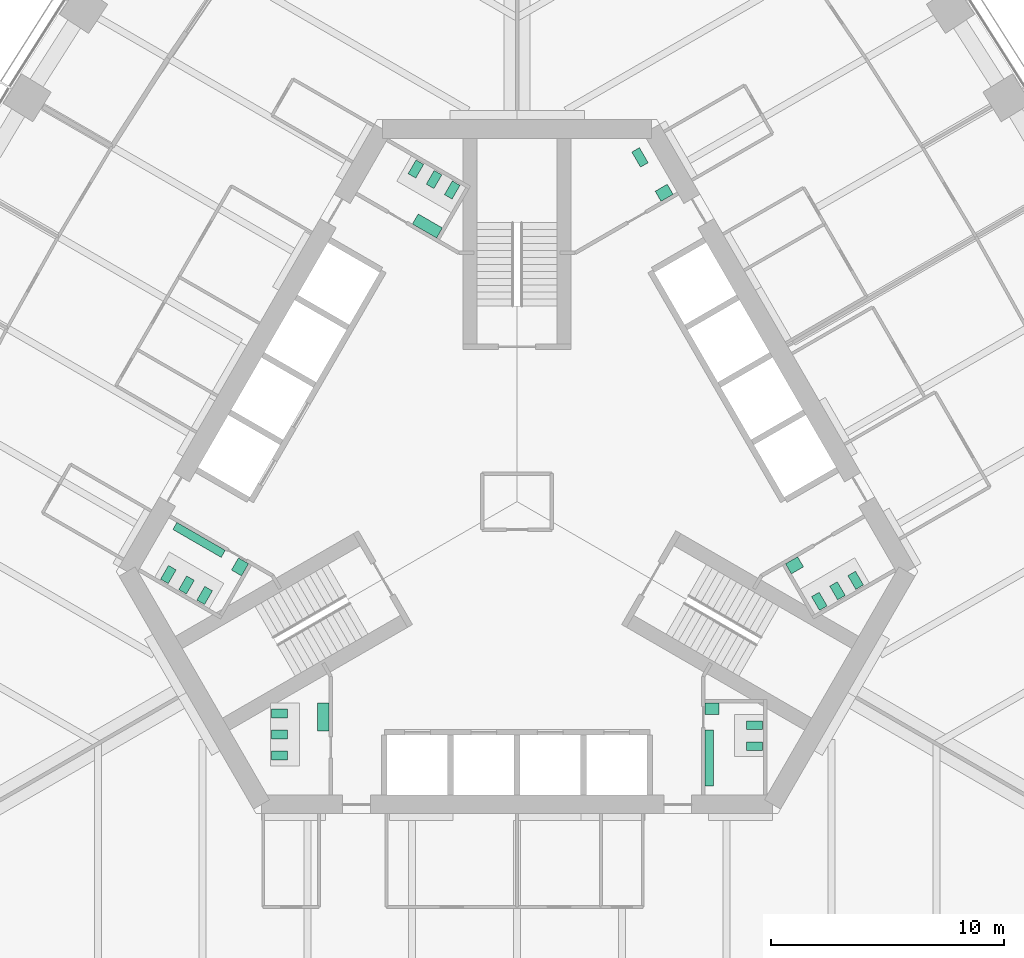
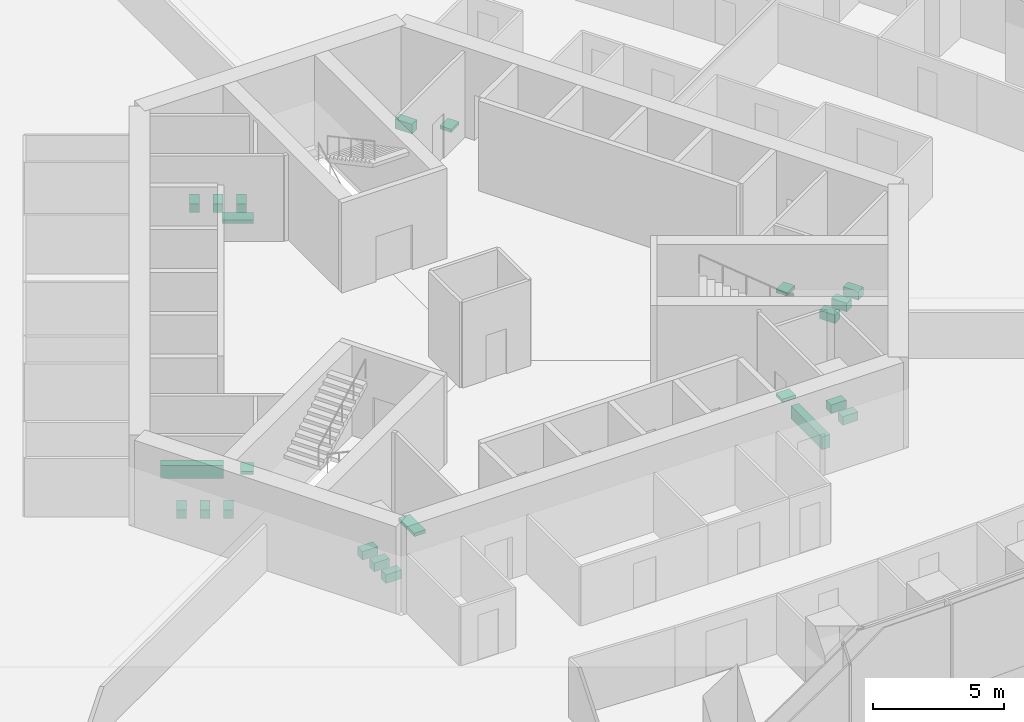
# One storey, part 18 of 19: 23 sanitary terminals.
"""IFC4 building model written with IfcOpenShell, lengths in metres."""

from ifc_helpers import new_model, si_unit, direction, frame, origin, place, context, subcontext, project, spatial, polyline, outline, extrude, material, type_object, element, save


model = new_model("IFC4")

# Units and contexts
model_context = context("Model", 3, precision=1e-05, world=origin(), true_north=direction((0.0, 1.0)))
body_context = subcontext(model_context, "Body", "Model", "MODEL_VIEW")
ifc_project = project(units=[si_unit("LENGTHUNIT", "METRE"), si_unit("AREAUNIT", "SQUARE_METRE"), si_unit("VOLUMEUNIT", "CUBIC_METRE"), si_unit("PLANEANGLEUNIT", "RADIAN"), si_unit("MASSUNIT", "GRAM", prefix="KILO")], contexts=[model_context])

# Site, building, storey
site_placement = place(None, origin())
site = spatial("IfcSite", under=ifc_project, at=site_placement, CompositionType="ELEMENT")
building_placement = place(site_placement, origin())
building = spatial("IfcBuilding", under=site, at=building_placement, Name="Trefoil Bronze Tower", CompositionType="ELEMENT")
storey_placement = place(building_placement, frame((0.0, 0.0, 20.699951171875)))
storey = spatial("IfcBuildingStorey", under=building, at=storey_placement, Name="L04", CompositionType="ELEMENT", Elevation=20.699951171875)

# Sanitary terminals
ifc_material_1 = material(Name="Vitreous china", Category="ceramic")
sanitary_terminal_type_1 = type_object("IfcSanitaryTerminalType", Name="Accessible WC pan", PredefinedType="TOILETPAN", material=ifc_material_1)
sanitary_terminal_1_placement = place(storey_placement, origin())
element("IfcSanitaryTerminal", 1, at=sanitary_terminal_1_placement, inside=storey, type_object=sanitary_terminal_type_1, Name="WC pan 1 Accessible WC L04", PredefinedType="TOILETPAN", context=body_context, shape_type="SweptSolid", body=[
    extrude(outline(polyline([(5.300537109375, 14.359130859375), (4.925537109375, 15.008544921875), (5.254638671875, 15.198486328125), (5.629638671875, 14.549072265625), (5.300537109375, 14.359130859375)])), origin(), (0.0, 0.0, 1.0), 0.449951171875),
])
ifc_material_2 = material(Name="Vitreous china", Category="ceramic")
sanitary_terminal_type_2 = type_object("IfcSanitaryTerminalType", Name="Accessible basin", PredefinedType="WASHHANDBASIN", material=ifc_material_2)
sanitary_terminal_2_placement = place(storey_placement, frame((0.0, 0.0, 0.650146484375)))
element("IfcSanitaryTerminal", 2, at=sanitary_terminal_2_placement, inside=storey, type_object=sanitary_terminal_type_2, Name="Wash basin Accessible WC L04", PredefinedType="WASHHANDBASIN", context=body_context, shape_type="SweptSolid", body=[
    extrude(outline(polyline([(6.181640625, 12.89306640625), (5.931640625, 13.326171875), (6.451171875, 13.626220703125), (6.701171875, 13.193115234375), (6.181640625, 12.89306640625)])), origin(), (0.0, 0.0, 1.0), 0.14990234375),
])
ifc_material_3 = material(Name="Vitreous china", Category="ceramic")
sanitary_terminal_type_3 = type_object("IfcSanitaryTerminalType", Name="Urinal range 4 urinals", PredefinedType="URINAL", material=ifc_material_3)
sanitary_terminal_3_placement = place(storey_placement, frame((0.0, 0.0, 0.400146484375)))
element("IfcSanitaryTerminal", 3, at=sanitary_terminal_3_placement, inside=storey, type_object=sanitary_terminal_type_3, Name="Urinal range WC (men) L04", PredefinedType="URINAL", context=body_context, shape_type="SweptSolid", body=[
    extrude(outline(polyline([(8.074951171875, -9.800048828125), (8.425048828125, -9.800048828125), (8.425048828125, -12.199951171875), (8.074951171875, -12.199951171875), (8.074951171875, -9.800048828125)])), origin(), (0.0, 0.0, 1.0), 0.599853515625),
])
sanitary_terminal_4_placement = place(storey_placement, frame((0.0, 0.0, 0.400146484375)))
element("IfcSanitaryTerminal", 4, at=sanitary_terminal_4_placement, inside=storey, type_object=sanitary_terminal_type_3, Name="Urinal range WC (men) L04", PredefinedType="URINAL", context=body_context, shape_type="SweptSolid", body=[
    extrude(outline(polyline([(-12.524658203125, -2.09326171875), (-12.699462890625, -2.396240234375), (-14.778076171875, -1.1962890625), (-14.60302734375, -0.89306640625), (-12.524658203125, -2.09326171875)])), origin(), (0.0, 0.0, 1.0), 0.599853515625),
])
ifc_material_4 = material(Name="Solid surface vanity", Category="plastic")
sanitary_terminal_type_4 = type_object("IfcSanitaryTerminalType", Name="Vanity unit 1 basins", PredefinedType="WASHHANDBASIN", material=ifc_material_4)
sanitary_terminal_5_placement = place(storey_placement, frame((0.0, 0.0, 0.75)))
element("IfcSanitaryTerminal", 5, at=sanitary_terminal_5_placement, inside=storey, type_object=sanitary_terminal_type_4, Name="Vanity unit WC (men) L04", PredefinedType="WASHHANDBASIN", context=body_context, shape_type="SweptSolid", body=[
    extrude(outline(polyline([(8.074951171875, -8.64990234375), (8.675048828125, -8.64990234375), (8.675048828125, -9.14990234375), (8.074951171875, -9.14990234375), (8.074951171875, -8.64990234375)])), origin(), (0.0, 0.0, 1.0), 0.150146484375),
])
sanitary_terminal_6_placement = place(storey_placement, frame((0.0, 0.0, 0.75)))
element("IfcSanitaryTerminal", 6, at=sanitary_terminal_6_placement, inside=storey, type_object=sanitary_terminal_type_4, Name="Vanity unit WC (women) L04", PredefinedType="WASHHANDBASIN", context=body_context, shape_type="SweptSolid", body=[
    extrude(outline(polyline([(11.528564453125, -2.668212890625), (11.778564453125, -3.10107421875), (12.29833984375, -2.80126953125), (12.04833984375, -2.3681640625), (11.528564453125, -2.668212890625)])), origin(), (0.0, 0.0, 1.0), 0.150146484375),
])
sanitary_terminal_7_placement = place(storey_placement, frame((0.0, 0.0, 0.75)))
element("IfcSanitaryTerminal", 7, at=sanitary_terminal_7_placement, inside=storey, type_object=sanitary_terminal_type_4, Name="Vanity unit WC (men) L04", PredefinedType="WASHHANDBASIN", context=body_context, shape_type="SweptSolid", body=[
    extrude(outline(polyline([(-11.528564453125, -2.668212890625), (-11.82861328125, -3.187744140625), (-12.26171875, -2.937744140625), (-11.961669921875, -2.418212890625), (-11.528564453125, -2.668212890625)])), origin(), (0.0, 0.0, 1.0), 0.150146484375),
])
ifc_material_5 = material(Name="Solid surface vanity", Category="plastic")
sanitary_terminal_type_5 = type_object("IfcSanitaryTerminalType", Name="Vanity unit 2 basins", PredefinedType="WASHHANDBASIN", material=ifc_material_5)
sanitary_terminal_8_placement = place(storey_placement, frame((0.0, 0.0, 0.75)))
element("IfcSanitaryTerminal", 8, at=sanitary_terminal_8_placement, inside=storey, type_object=sanitary_terminal_type_5, Name="Vanity unit WC (women) L04", PredefinedType="WASHHANDBASIN", context=body_context, shape_type="SweptSolid", body=[
    extrude(outline(polyline([(-3.45361328125, 11.318115234375), (-3.20361328125, 11.751220703125), (-4.242919921875, 12.35107421875), (-4.492919921875, 11.918212890625), (-3.45361328125, 11.318115234375)])), origin(), (0.0, 0.0, 1.0), 0.150146484375),
])
sanitary_terminal_9_placement = place(storey_placement, frame((0.0, 0.0, 0.75)))
element("IfcSanitaryTerminal", 9, at=sanitary_terminal_9_placement, inside=storey, type_object=sanitary_terminal_type_5, Name="Vanity unit WC (women) L04", PredefinedType="WASHHANDBASIN", context=body_context, shape_type="SweptSolid", body=[
    extrude(outline(polyline([(-8.074951171875, -8.64990234375), (-8.574951171875, -8.64990234375), (-8.574951171875, -9.85009765625), (-8.074951171875, -9.85009765625), (-8.074951171875, -8.64990234375)])), origin(), (0.0, 0.0, 1.0), 0.150146484375),
])
ifc_material_6 = material(Name="Vitreous china", Category="ceramic")
sanitary_terminal_type_6 = type_object("IfcSanitaryTerminalType", Name="WC pan", PredefinedType="TOILETPAN", material=ifc_material_6)
sanitary_terminal_10_placement = place(storey_placement, origin())
element("IfcSanitaryTerminal", 10, at=sanitary_terminal_10_placement, inside=storey, type_object=sanitary_terminal_type_6, Name="WC pan 1 WC (men) L04", PredefinedType="TOILETPAN", context=body_context, shape_type="SweptSolid", body=[
    extrude(outline(polyline([(9.85498046875, -9.409912109375), (10.534912109375, -9.409912109375), (10.534912109375, -9.7900390625), (9.85498046875, -9.7900390625), (9.85498046875, -9.409912109375)])), origin(), (0.0, 0.0, 1.0), 0.400146484375),
])
sanitary_terminal_11_placement = place(storey_placement, origin())
element("IfcSanitaryTerminal", 11, at=sanitary_terminal_11_placement, inside=storey, type_object=sanitary_terminal_type_6, Name="WC pan 2 WC (men) L04", PredefinedType="TOILETPAN", context=body_context, shape_type="SweptSolid", body=[
    extrude(outline(polyline([(9.85498046875, -10.31005859375), (10.534912109375, -10.31005859375), (10.534912109375, -10.68994140625), (9.85498046875, -10.68994140625), (9.85498046875, -10.31005859375)])), origin(), (0.0, 0.0, 1.0), 0.400146484375),
])
sanitary_terminal_12_placement = place(storey_placement, origin())
element("IfcSanitaryTerminal", 12, at=sanitary_terminal_12_placement, inside=storey, type_object=sanitary_terminal_type_6, Name="WC pan 1 WC (women) L04", PredefinedType="TOILETPAN", context=body_context, shape_type="SweptSolid", body=[
    extrude(outline(polyline([(12.643798828125, -4.07958984375), (12.98388671875, -4.66845703125), (13.31298828125, -4.478515625), (12.972900390625, -3.8896484375), (12.643798828125, -4.07958984375)])), origin(), (0.0, 0.0, 1.0), 0.400146484375),
])
sanitary_terminal_13_placement = place(storey_placement, origin())
element("IfcSanitaryTerminal", 13, at=sanitary_terminal_13_placement, inside=storey, type_object=sanitary_terminal_type_6, Name="WC pan 2 WC (women) L04", PredefinedType="TOILETPAN", context=body_context, shape_type="SweptSolid", body=[
    extrude(outline(polyline([(13.423095703125, -3.629638671875), (13.76318359375, -4.218505859375), (14.09228515625, -4.028564453125), (13.752197265625, -3.439697265625), (13.423095703125, -3.629638671875)])), origin(), (0.0, 0.0, 1.0), 0.400146484375),
])
sanitary_terminal_14_placement = place(storey_placement, origin())
element("IfcSanitaryTerminal", 14, at=sanitary_terminal_14_placement, inside=storey, type_object=sanitary_terminal_type_6, Name="WC pan 3 WC (women) L04", PredefinedType="TOILETPAN", context=body_context, shape_type="SweptSolid", body=[
    extrude(outline(polyline([(14.20263671875, -3.1796875), (14.542724609375, -3.7685546875), (14.871826171875, -3.57861328125), (14.53173828125, -2.98974609375), (14.20263671875, -3.1796875)])), origin(), (0.0, 0.0, 1.0), 0.400146484375),
])
sanitary_terminal_15_placement = place(storey_placement, origin())
element("IfcSanitaryTerminal", 15, at=sanitary_terminal_15_placement, inside=storey, type_object=sanitary_terminal_type_6, Name="WC pan 1 WC (women) L04", PredefinedType="TOILETPAN", context=body_context, shape_type="SweptSolid", body=[
    extrude(outline(polyline([(-2.788818359375, 12.98974609375), (-2.44873046875, 13.57861328125), (-2.77783203125, 13.7685546875), (-3.117919921875, 13.1796875), (-2.788818359375, 12.98974609375)])), origin(), (0.0, 0.0, 1.0), 0.400146484375),
])
sanitary_terminal_16_placement = place(storey_placement, origin())
element("IfcSanitaryTerminal", 16, at=sanitary_terminal_16_placement, inside=storey, type_object=sanitary_terminal_type_6, Name="WC pan 2 WC (women) L04", PredefinedType="TOILETPAN", context=body_context, shape_type="SweptSolid", body=[
    extrude(outline(polyline([(-3.568115234375, 13.439697265625), (-3.228271484375, 14.028564453125), (-3.557373046875, 14.218505859375), (-3.897216796875, 13.629638671875), (-3.568115234375, 13.439697265625)])), origin(), (0.0, 0.0, 1.0), 0.400146484375),
])
sanitary_terminal_17_placement = place(storey_placement, origin())
element("IfcSanitaryTerminal", 17, at=sanitary_terminal_17_placement, inside=storey, type_object=sanitary_terminal_type_6, Name="WC pan 3 WC (women) L04", PredefinedType="TOILETPAN", context=body_context, shape_type="SweptSolid", body=[
    extrude(outline(polyline([(-4.34765625, 13.8896484375), (-4.007568359375, 14.478515625), (-4.336669921875, 14.66845703125), (-4.6767578125, 14.07958984375), (-4.34765625, 13.8896484375)])), origin(), (0.0, 0.0, 1.0), 0.400146484375),
])
sanitary_terminal_18_placement = place(storey_placement, origin())
element("IfcSanitaryTerminal", 18, at=sanitary_terminal_18_placement, inside=storey, type_object=sanitary_terminal_type_6, Name="WC pan 1 WC (men) L04", PredefinedType="TOILETPAN", context=body_context, shape_type="SweptSolid", body=[
    extrude(outline(polyline([(-13.076904296875, -3.82958984375), (-13.416748046875, -4.41845703125), (-13.745849609375, -4.228515625), (-13.406005859375, -3.6396484375), (-13.076904296875, -3.82958984375)])), origin(), (0.0, 0.0, 1.0), 0.400146484375),
])
sanitary_terminal_19_placement = place(storey_placement, origin())
element("IfcSanitaryTerminal", 19, at=sanitary_terminal_19_placement, inside=storey, type_object=sanitary_terminal_type_6, Name="WC pan 2 WC (men) L04", PredefinedType="TOILETPAN", context=body_context, shape_type="SweptSolid", body=[
    extrude(outline(polyline([(-13.856201171875, -3.379638671875), (-14.1962890625, -3.968505859375), (-14.525390625, -3.778564453125), (-14.185302734375, -3.189697265625), (-13.856201171875, -3.379638671875)])), origin(), (0.0, 0.0, 1.0), 0.400146484375),
])
sanitary_terminal_20_placement = place(storey_placement, origin())
element("IfcSanitaryTerminal", 20, at=sanitary_terminal_20_placement, inside=storey, type_object=sanitary_terminal_type_6, Name="WC pan 3 WC (men) L04", PredefinedType="TOILETPAN", context=body_context, shape_type="SweptSolid", body=[
    extrude(outline(polyline([(-14.6357421875, -2.9296875), (-14.9755859375, -3.5185546875), (-15.3046875, -3.32861328125), (-14.96484375, -2.73974609375), (-14.6357421875, -2.9296875)])), origin(), (0.0, 0.0, 1.0), 0.400146484375),
])
sanitary_terminal_21_placement = place(storey_placement, origin())
element("IfcSanitaryTerminal", 21, at=sanitary_terminal_21_placement, inside=storey, type_object=sanitary_terminal_type_6, Name="WC pan 1 WC (women) L04", PredefinedType="TOILETPAN", context=body_context, shape_type="SweptSolid", body=[
    extrude(outline(polyline([(-9.85498046875, -8.909912109375), (-10.534912109375, -8.909912109375), (-10.534912109375, -9.2900390625), (-9.85498046875, -9.2900390625), (-9.85498046875, -8.909912109375)])), origin(), (0.0, 0.0, 1.0), 0.400146484375),
])
sanitary_terminal_22_placement = place(storey_placement, origin())
element("IfcSanitaryTerminal", 22, at=sanitary_terminal_22_placement, inside=storey, type_object=sanitary_terminal_type_6, Name="WC pan 2 WC (women) L04", PredefinedType="TOILETPAN", context=body_context, shape_type="SweptSolid", body=[
    extrude(outline(polyline([(-9.85498046875, -9.81005859375), (-10.534912109375, -9.81005859375), (-10.534912109375, -10.18994140625), (-9.85498046875, -10.18994140625), (-9.85498046875, -9.81005859375)])), origin(), (0.0, 0.0, 1.0), 0.400146484375),
])
sanitary_terminal_23_placement = place(storey_placement, origin())
element("IfcSanitaryTerminal", 23, at=sanitary_terminal_23_placement, inside=storey, type_object=sanitary_terminal_type_6, Name="WC pan 3 WC (women) L04", PredefinedType="TOILETPAN", context=body_context, shape_type="SweptSolid", body=[
    extrude(outline(polyline([(-9.85498046875, -10.7099609375), (-10.534912109375, -10.7099609375), (-10.534912109375, -11.090087890625), (-9.85498046875, -11.090087890625), (-9.85498046875, -10.7099609375)])), origin(), (0.0, 0.0, 1.0), 0.400146484375),
])

save(model, "model.ifc")
